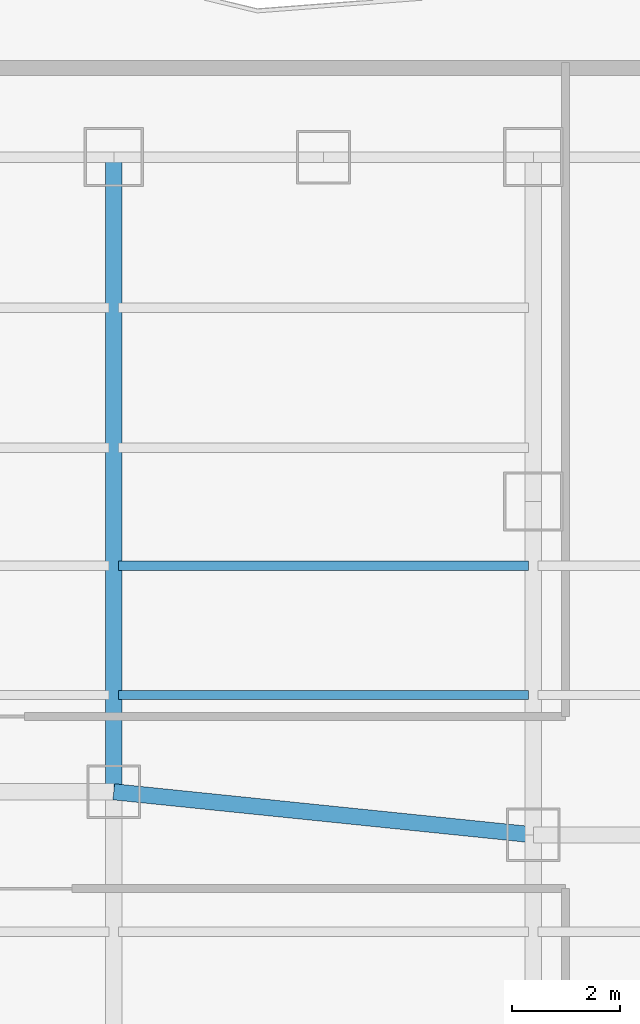
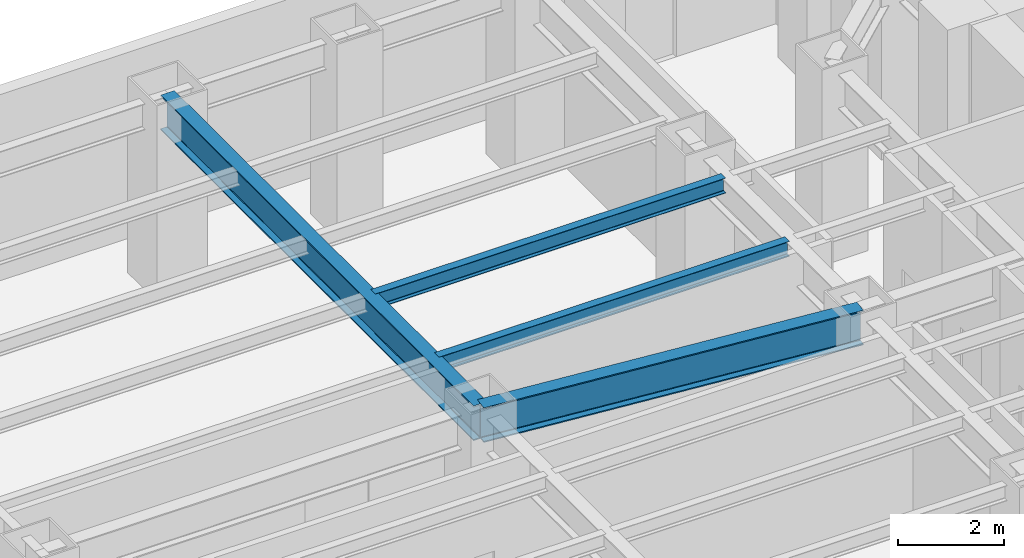
# One storey, part 13 of 29: 4 beams.
"""IFC4 building model written with IfcOpenShell, lengths in metres."""

import ifcopenshell
import ifcopenshell.guid

model = None  # the IFC model being written
_history = None  # IfcOwnerHistory: only IFC2X3 demands one
_inside = {}  # id of a spatial element -> (the spatial element, [elements in it])
_under = {}  # id of a project, library or spatial element -> (it, [spatial elements below it])
_declared = {}  # id of a project -> (the project, [libraries it declares])
_typed = {}  # id of a type object -> (the type object, [elements of that type])
_made_of = {}  # id of a material, layer set ... -> (it, [elements and type objects made of it])


def new_model(schema):
    """Start an empty IFC model of exactly this schema.

    Asked for "IFC4X3", IfcOpenShell would pick the latest addendum, in which some entities
    have other attributes; the version numbers below select the first issue.
    IFC2X3 requires an IfcOwnerHistory on every rooted entity: one is made here for all.
    """
    global model, _history
    if schema == "IFC4X3":
        model = ifcopenshell.file(schema_version=(4, 3, 0, 0))
    else:
        model = ifcopenshell.file(schema=schema)
    _inside.clear()
    _under.clear()
    _declared.clear()
    _typed.clear()
    _made_of.clear()
    _history = None
    if model.schema == "IFC2X3":
        org = make("IfcOrganization", Name="unknown")
        user = make(
            "IfcPersonAndOrganization",
            ThePerson=make("IfcPerson", FamilyName="unknown"),
            TheOrganization=org,
        )
        app = make(
            "IfcApplication",
            ApplicationDeveloper=org,
            Version="unknown",
            ApplicationFullName="unknown",
            ApplicationIdentifier="unknown",
        )
        _history = make(
            "IfcOwnerHistory",
            OwningUser=user,
            OwningApplication=app,
            ChangeAction="ADDED",
            CreationDate=0,
        )
    return model


def make(cls, **values):
    """One entity of the class cls with the attributes given. An attribute that is None is left unset."""
    return model.create_entity(
        cls, **{name: value for name, value in values.items() if value is not None}
    )


def rooted(cls, **values):
    """An entity with a GlobalId (a new one), such as an element, a storey or a relation."""
    return make(cls, GlobalId=ifcopenshell.guid.new(), OwnerHistory=_history, **values)


def si_unit(unit_type, name, prefix=None):
    """IfcSIUnit, for example si_unit("LENGTHUNIT", "METRE", prefix="MILLI")."""
    return make("IfcSIUnit", UnitType=unit_type, Prefix=prefix, Name=name)


def assignment(units):
    """IfcUnitAssignment: the units of a project."""
    return None if units is None else make("IfcUnitAssignment", Units=units)


def point(xyz):
    """IfcCartesianPoint."""
    return None if xyz is None else make("IfcCartesianPoint", Coordinates=xyz)


def direction(xyz):
    """IfcDirection."""
    return None if xyz is None else make("IfcDirection", DirectionRatios=xyz)


def frame(location, z_axis=None, x_axis=None):
    """IfcAxis2Placement3D, a coordinate frame: its origin and axes. An axis left out is left unset."""
    return make(
        "IfcAxis2Placement3D",
        Location=point(location),
        Axis=direction(z_axis),
        RefDirection=direction(x_axis),
    )


def frame_2d(location, x_axis=None):
    """IfcAxis2Placement2D, a coordinate frame in the plane: its origin and x axis."""
    return make(
        "IfcAxis2Placement2D", Location=point(location), RefDirection=direction(x_axis)
    )


def origin():
    """The frame at (0, 0, 0) with its axes left unset."""
    return frame((0.0, 0.0, 0.0))


def origin_2d():
    """The frame at (0, 0) in the plane with its x axis left unset."""
    return frame_2d((0.0, 0.0))


def place(relative_to, where):
    """IfcLocalPlacement: puts the frame where relative to a parent placement (None: the world)."""
    return make(
        "IfcLocalPlacement", PlacementRelTo=relative_to, RelativePlacement=where
    )


def context(
    kind, dimensions, precision=None, world=None, true_north=None, identifier=None
):
    """IfcGeometricRepresentationContext, for example the 3D "Model" context."""
    return make(
        "IfcGeometricRepresentationContext",
        ContextIdentifier=identifier,
        ContextType=kind,
        CoordinateSpaceDimension=dimensions,
        Precision=precision,
        WorldCoordinateSystem=world,
        TrueNorth=true_north,
    )


def subcontext(parent, identifier, kind, view, scale=None):
    """IfcGeometricRepresentationSubContext, for example "Body" below "Model"."""
    return make(
        "IfcGeometricRepresentationSubContext",
        ContextIdentifier=identifier,
        ContextType=kind,
        ParentContext=parent,
        TargetScale=scale,
        TargetView=view,
    )


def project(units=None, contexts=None):
    """IfcProject with its units and contexts."""
    return rooted(
        "IfcProject",
        Name="project",
        RepresentationContexts=contexts,
        UnitsInContext=assignment(units),
    )


def spatial(cls, under=None, at=None, **own):
    """A site, building, storey or space (cls), placed at a placement, below another one or the project."""
    s = rooted(cls, ObjectPlacement=at, **own)
    if under is not None:
        _under.setdefault(under.id(), (under, []))[1].append(s)
    return s


def profile(cls, at=None, kind="AREA", **sizes):
    """A parametric profile (cls). Its sizes go by their IFC names, for example OverallWidth=200.0."""
    return make(cls, ProfileType=kind, Position=at, **sizes)


def i_section(**sizes):
    """IfcIShapeProfileDef."""
    return profile("IfcIShapeProfileDef", **sizes)


def extrude(swept, where, along, depth):
    """IfcExtrudedAreaSolid: the profile swept, set in the frame where, extruded along a direction by depth."""
    return make(
        "IfcExtrudedAreaSolid",
        SweptArea=swept,
        Position=where,
        ExtrudedDirection=direction(along),
        Depth=depth,
    )


def shape(context_of_items, identifier, shape_type, items):
    """IfcShapeRepresentation: the items that make up one representation, for example the "Body"."""
    return make(
        "IfcShapeRepresentation",
        ContextOfItems=context_of_items,
        RepresentationIdentifier=identifier,
        RepresentationType=shape_type,
        Items=items,
    )


def material(Name=None, Category=None):
    """IfcMaterial."""
    return make("IfcMaterial", Name=Name, Category=Category)


def material_profile(
    of_material, cross_section, Name=None, Category=None, Priority=None
):
    """IfcMaterialProfile: a cross section and its material."""
    return make(
        "IfcMaterialProfile",
        Name=Name,
        Material=of_material,
        Profile=cross_section,
        Priority=Priority,
        Category=Category,
    )


def profile_set(profiles, Name=None, composite=None):
    """IfcMaterialProfileSet."""
    return make(
        "IfcMaterialProfileSet",
        Name=Name,
        MaterialProfiles=profiles,
        CompositeProfile=composite,
    )


def made_of(thing, what):
    """Note that an element or type object is made of a material, layer set ...; save() writes the relation."""
    if what is not None:
        _made_of.setdefault(what.id(), (what, []))[1].append(thing)
    return thing


def type_object(cls, material=None, **own):
    """A type object (cls), such as IfcWallType, which elements share."""
    return made_of(rooted(cls, **own), material)


def element(
    cls,
    number,
    at=None,
    inside=None,
    cuts=None,
    type_object=None,
    material=None,
    context=None,
    identifier="Body",
    shape_type=None,
    held_by="IfcProductDefinitionShape",
    body=None,
    shapes=None,
    **own,
):
    """One element of the class cls, such as IfcWall. Its Tag is "e" and its number.

    at: its placement. inside: the storey or other place that contains it. cuts: it is an
    opening in that element (IfcRelVoidsElement). A single representation is given by context,
    identifier, shape_type and body (its items); several are given by shapes. held_by: the class
    of the entity that holds the representations. save() writes the other relations.
    """
    e = rooted(cls, Tag="e%d" % number, ObjectPlacement=at, **own)
    if body is not None:
        shapes = [shape(context, identifier, shape_type, body)]
    if shapes is not None:
        e.Representation = make(held_by, Representations=shapes)
    if inside is not None:
        _inside.setdefault(inside.id(), (inside, []))[1].append(e)
    if cuts is not None:
        rooted(
            "IfcRelVoidsElement", RelatingBuildingElement=cuts, RelatedOpeningElement=e
        )
    if type_object is not None:
        _typed.setdefault(type_object.id(), (type_object, []))[1].append(e)
    return made_of(e, material)


def aggregate(whole, parts):
    """IfcRelAggregates: a whole, such as a stair, and the parts it consists of."""
    return rooted("IfcRelAggregates", RelatingObject=whole, RelatedObjects=parts)


def save(model, path):
    """Write the relations noted so far, then the file.

    IfcRelAggregates (storeys below a building ...), IfcRelContainedInSpatialStructure (elements
    in a storey), IfcRelDefinesByType, IfcRelAssociatesMaterial and IfcRelDeclares: one each for
    every whole, place, type object, material and project.
    """
    for whole, parts in _under.values():
        aggregate(whole, parts)
    for where, things in _inside.values():
        rooted(
            "IfcRelContainedInSpatialStructure",
            RelatedElements=things,
            RelatingStructure=where,
        )
    for kind, things in _typed.values():
        rooted("IfcRelDefinesByType", RelatedObjects=things, RelatingType=kind)
    for what, things in _made_of.values():
        rooted("IfcRelAssociatesMaterial", RelatedObjects=things, RelatingMaterial=what)
    for by, libraries in _declared.values():
        rooted("IfcRelDeclares", RelatingContext=by, RelatedDefinitions=libraries)
    model.write(path)


model = new_model("IFC4")

# Units and contexts
model_context = context("Model", 3, precision=1e-05, world=origin(), true_north=direction((0.0, 1.0)))
body_context = subcontext(model_context, "Body", "Model", "MODEL_VIEW")
ifc_project = project(units=[si_unit("LENGTHUNIT", "METRE"), si_unit("AREAUNIT", "SQUARE_METRE"), si_unit("VOLUMEUNIT", "CUBIC_METRE"), si_unit("PLANEANGLEUNIT", "RADIAN"), si_unit("MASSUNIT", "GRAM", prefix="KILO")], contexts=[model_context])

# Site, building, storey
site_placement = place(None, origin())
site = spatial("IfcSite", under=ifc_project, at=site_placement, CompositionType="ELEMENT")
building_placement = place(site_placement, origin())
building = spatial("IfcBuilding", under=site, at=building_placement, Name="Hatsunagi Terrace Concourse", CompositionType="ELEMENT")
storey_placement = place(building_placement, frame((0.0, 0.0, 32.10009765625)))
storey = spatial("IfcBuildingStorey", under=building, at=storey_placement, Name="L07", CompositionType="ELEMENT", Elevation=32.10009765625)

# Beams
ifc_material_1 = material(Name="Steel SN490B", Category="steel")
ifc_material_profile_1 = material_profile(ifc_material_1, i_section(OverallWidth=0.175048828125, OverallDepth=0.35009765625, WebThickness=0.007080078125, FlangeThickness=0.010986328125, FilletRadius=0.012939453125, at=origin_2d()), Name="H-350x175x7x11")
ifc_profile_set_1 = profile_set([ifc_material_profile_1], Name="Steel SN490B")
beam_type_1 = type_object("IfcBeamType", Name="HotelJoist_H_350x175", PredefinedType="JOIST", material=ifc_profile_set_1)
for number, where, z_axis, x_axis, name in (
    (1, (11.485107421875, 38.60009765625, 4.10498046875), (1.0, 0.0, 0.0), (0.0, 1.0, 0.0), "Beam J-02 J-L07-W-11-386"),
    (2, (11.485107421875, 41.0, 4.10498046875), (1.0, 0.0, 0.0), (0.0, 1.0, 0.0), "Beam J-02 J-L07-W-11-410"),
):
    element("IfcBeam", number, at=place(storey_placement, frame(where, z_axis=z_axis, x_axis=x_axis)), inside=storey, type_object=beam_type_1, Name=name, PredefinedType="JOIST", context=body_context, shape_type="SweptSolid", body=[
        extrude(i_section(OverallWidth=0.175048828125, OverallDepth=0.35009765625, WebThickness=0.007080078125, FlangeThickness=0.010986328125, FilletRadius=0.012939453125, at=origin_2d()), origin(), (0.0, 0.0, 1.0), 7.6298828125),
    ])
ifc_material_2 = material(Name="Steel SN490B", Category="steel")
ifc_material_profile_2 = material_profile(ifc_material_2, i_section(OverallWidth=0.300048828125, OverallDepth=0.800048828125, WebThickness=0.013916015625, FlangeThickness=0.02587890625, FilletRadius=0.02197265625, at=origin_2d()), Name="H-800x300x14x26")
ifc_profile_set_2 = profile_set([ifc_material_profile_2], Name="Steel SN490B")
beam_type_2 = type_object("IfcBeamType", Name="SkyLobbyGirder_H_800x300", PredefinedType="BEAM", material=ifc_profile_set_2)
beam_1_placement = place(storey_placement, frame((11.39990234375, 36.800048828125, 3.8798828125), z_axis=(0.0, 1.0, 0.0), x_axis=(-1.0, 0.0, 0.0)))
element("IfcBeam", 3, at=beam_1_placement, inside=storey, type_object=beam_type_2, Name="Beam G-03 BM-L07-NS-11-36", PredefinedType="BEAM", context=body_context, shape_type="SweptSolid", body=[
    extrude(i_section(OverallWidth=0.300048828125, OverallDepth=0.800048828125, WebThickness=0.013916015625, FlangeThickness=0.02587890625, FilletRadius=0.02197265625, at=origin_2d()), origin(), (0.0, 0.0, 1.0), 11.800048828125),
])
beam_2_placement = place(storey_placement, frame((11.39990234375, 36.800048828125, 3.8798828125), z_axis=(0.994780871372, -0.102034395927, 0.0), x_axis=(0.102034395927, 0.994780871372, 0.0)))
element("IfcBeam", 4, at=beam_2_placement, inside=storey, type_object=beam_type_2, Name="Beam G-03 BM-L07-EW-2", PredefinedType="BEAM", context=body_context, shape_type="SweptSolid", body=[
    extrude(i_section(OverallWidth=0.300048828125, OverallDepth=0.800048828125, WebThickness=0.013916015625, FlangeThickness=0.02587890625, FilletRadius=0.02197265625, at=origin_2d()), origin(), (0.0, 0.0, 1.0), 7.841064453125),
])

save(model, "model.ifc")
